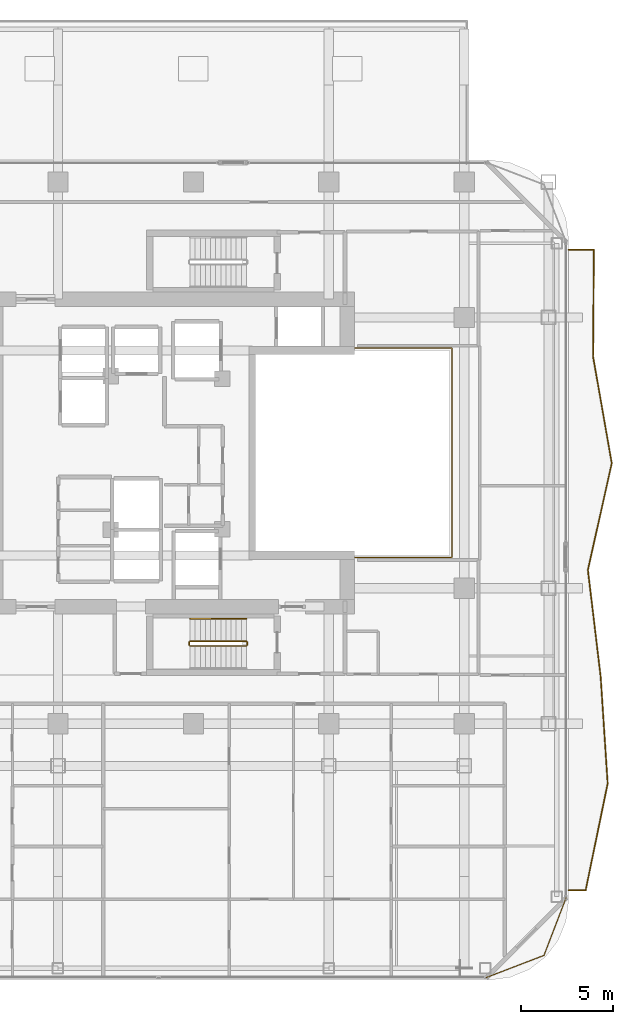
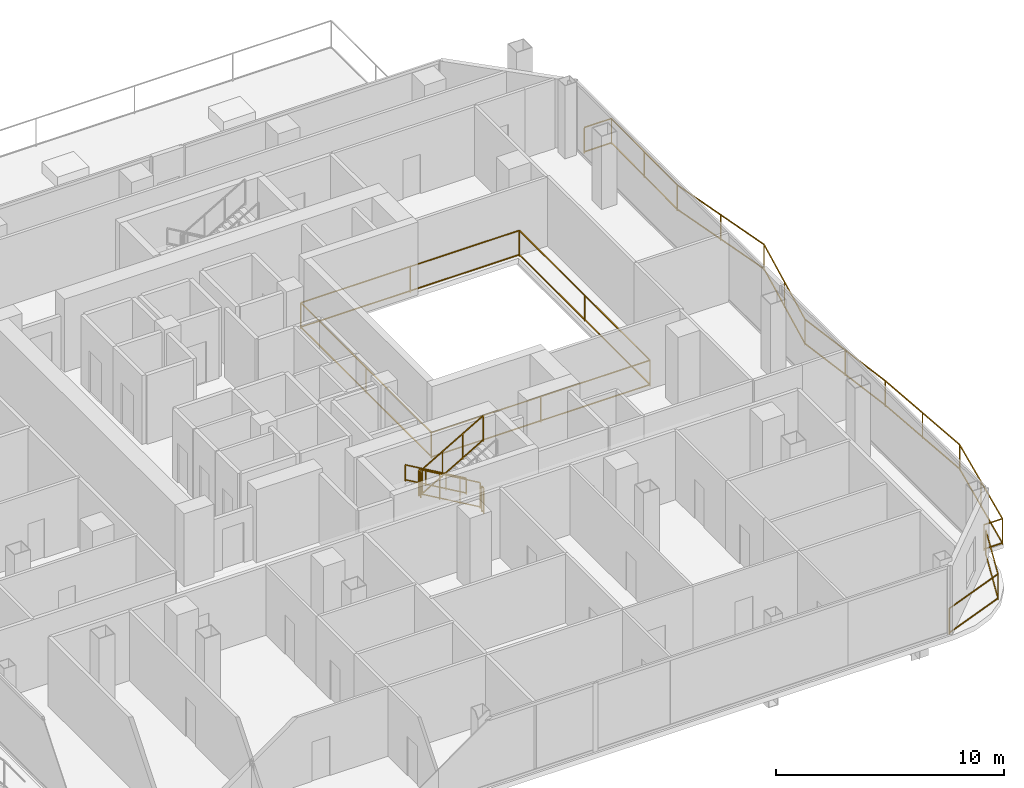
# One storey, part 23 of 24: 8 railings.
"""IFC4 building model written with IfcOpenShell, lengths in metres."""

from ifc_helpers import new_model, si_unit, direction, frame, origin, origin_2d, place, context, subcontext, project, spatial, rectangle, extrude, material, type_object, element, save


model = new_model("IFC4")

# Units and contexts
model_context = context("Model", 3, precision=1e-05, world=origin(), true_north=direction((0.0, 1.0)))
body_context = subcontext(model_context, "Body", "Model", "MODEL_VIEW")
ifc_project = project(units=[si_unit("LENGTHUNIT", "METRE"), si_unit("AREAUNIT", "SQUARE_METRE"), si_unit("VOLUMEUNIT", "CUBIC_METRE"), si_unit("PLANEANGLEUNIT", "RADIAN"), si_unit("MASSUNIT", "GRAM", prefix="KILO")], contexts=[model_context])

# Site, building, storey
site_placement = place(None, origin())
site = spatial("IfcSite", under=ifc_project, at=site_placement, CompositionType="ELEMENT")
building_placement = place(site_placement, origin())
building = spatial("IfcBuilding", under=site, at=building_placement, Name="Khorvyn Point Tower", CompositionType="ELEMENT")
storey_placement = place(building_placement, frame((0.0, 0.0, 191.39990234375)))
storey = spatial("IfcBuildingStorey", under=building, at=storey_placement, Name="L47", CompositionType="ELEMENT", Elevation=191.39990234375)

# Railings
ifc_material_1 = material(Name="Stainless steel 1.4401 and laminated glass", Category="steel")
railing_type_1 = type_object("IfcRailingType", Name="Crystal Atrium Smoke-Rated Perimeter Guardrail 1400", PredefinedType="GUARDRAIL", material=ifc_material_1)
railing_1_placement = place(storey_placement, frame((3.080078125, -5.719970703125, 0.0)))
element("IfcRailing", 1, at=railing_1_placement, inside=storey, type_object=railing_type_1, Name="L47 Crystal Atrium Perimeter Guardrail", PredefinedType="GUARDRAIL", context=body_context, shape_type="SweptSolid", body=[
    extrude(rectangle(XDim=0.048095703125, YDim=0.048095703125, at=origin_2d()), frame((0.0, 0.0, 1.3759765625), z_axis=(1.0, 0.0, 0.0), x_axis=(0.0, 1.0, 0.0)), (0.0, 0.0, 1.0), 11.0400390625),
    extrude(rectangle(XDim=0.048095703125, YDim=0.048095703125, at=origin_2d()), frame((0.0, 0.0, 0.080078125), z_axis=(1.0, 0.0, 0.0), x_axis=(0.0, 1.0, 0.0)), (0.0, 0.0, 1.0), 11.0400390625),
    extrude(rectangle(XDim=0.048095703125, YDim=0.048095703125, at=origin_2d()), frame((11.0400390625, 0.0, 1.3759765625), z_axis=(0.0, 1.0, 0.0), x_axis=(-1.0, 0.0, 0.0)), (0.0, 0.0, 1.0), 11.43994140625),
    extrude(rectangle(XDim=0.048095703125, YDim=0.048095703125, at=origin_2d()), frame((11.0400390625, 0.0, 0.080078125), z_axis=(0.0, 1.0, 0.0), x_axis=(-1.0, 0.0, 0.0)), (0.0, 0.0, 1.0), 11.43994140625),
    extrude(rectangle(XDim=0.048095703125, YDim=0.048095703125, at=origin_2d()), frame((11.0400390625, 11.43994140625, 1.3759765625), z_axis=(-1.0, 0.0, 0.0), x_axis=(0.0, -1.0, 0.0)), (0.0, 0.0, 1.0), 11.0400390625),
    extrude(rectangle(XDim=0.048095703125, YDim=0.048095703125, at=origin_2d()), frame((11.0400390625, 11.43994140625, 0.080078125), z_axis=(-1.0, 0.0, 0.0), x_axis=(0.0, -1.0, 0.0)), (0.0, 0.0, 1.0), 11.0400390625),
    extrude(rectangle(XDim=0.048095703125, YDim=0.048095703125, at=origin_2d()), frame((0.0, 11.43994140625, 1.3759765625), z_axis=(0.0, -1.0, 0.0), x_axis=(1.0, 0.0, 0.0)), (0.0, 0.0, 1.0), 11.409912109375),
    extrude(rectangle(XDim=0.048095703125, YDim=0.048095703125, at=origin_2d()), frame((0.0, 11.43994140625, 0.080078125), z_axis=(0.0, -1.0, 0.0), x_axis=(1.0, 0.0, 0.0)), (0.0, 0.0, 1.0), 11.409912109375),
    extrude(rectangle(XDim=0.0419921875, YDim=0.0419921875, at=origin_2d()), origin(), (0.0, 0.0, 1.0), 1.351806640625),
    extrude(rectangle(XDim=0.0419921875, YDim=0.0419921875, at=origin_2d()), frame((5.52001953125, 0.0, 0.0)), (0.0, 0.0, 1.0), 1.351806640625),
    extrude(rectangle(XDim=0.0419921875, YDim=0.0419921875, at=origin_2d()), frame((11.0400390625, 0.0, 0.0)), (0.0, 0.0, 1.0), 1.351806640625),
    extrude(rectangle(XDim=0.0419921875, YDim=0.0419921875, at=origin_2d()), frame((11.0400390625, 5.719970703125, 0.0)), (0.0, 0.0, 1.0), 1.351806640625),
    extrude(rectangle(XDim=0.0419921875, YDim=0.0419921875, at=origin_2d()), frame((11.0400390625, 11.43994140625, 0.0)), (0.0, 0.0, 1.0), 1.351806640625),
    extrude(rectangle(XDim=0.0419921875, YDim=0.0419921875, at=origin_2d()), frame((5.52001953125, 11.43994140625, 0.0)), (0.0, 0.0, 1.0), 1.351806640625),
    extrude(rectangle(XDim=0.0419921875, YDim=0.0419921875, at=origin_2d()), frame((0.0, 11.43994140625, 0.0)), (0.0, 0.0, 1.0), 1.351806640625),
    extrude(rectangle(XDim=0.0419921875, YDim=0.0419921875, at=origin_2d()), frame((0.0, 5.73486328125, 0.0)), (0.0, 0.0, 1.0), 1.351806640625),
    extrude(rectangle(XDim=0.0419921875, YDim=0.0419921875, at=origin_2d()), frame((0.0, 0.030029296875, 0.0)), (0.0, 0.0, 1.0), 1.351806640625),
])
ifc_material_2 = material(Name="Anodised aluminium 6063-T6 and laminated safety glass", Category="aluminium")
railing_type_2 = type_object("IfcRailingType", Name="Laminated Glass and Aluminium Balcony Guardrail 1400", PredefinedType="BALUSTRADE", material=ifc_material_2)
railing_2_placement = place(storey_placement, frame((15.981201171875, -28.67431640625, 0.0)))
element("IfcRailing", 2, at=railing_2_placement, inside=storey, type_object=railing_type_2, Name="L47 Rounded Corner Edge Guardrail SE", PredefinedType="BALUSTRADE", context=body_context, shape_type="SweptSolid", body=[
    extrude(rectangle(XDim=0.048095703125, YDim=0.048095703125, at=origin_2d()), frame((0.0, 0.0, 1.3759765625), z_axis=(0.933589651443, 0.358343916815, 0.0), x_axis=(-0.358343916815, 0.933589651443, 0.0)), (0.0, 0.0, 1.0), 3.400390625),
    extrude(rectangle(XDim=0.048095703125, YDim=0.048095703125, at=origin_2d()), frame((0.0, 0.0, 0.080078125), z_axis=(0.933589651443, 0.358343916815, 0.0), x_axis=(-0.358343916815, 0.933589651443, 0.0)), (0.0, 0.0, 1.0), 3.400390625),
    extrude(rectangle(XDim=0.048095703125, YDim=0.048095703125, at=origin_2d()), frame((3.174560546875, 1.218505859375, 1.3759765625), z_axis=(0.358343916815, 0.933589651443, 0.0), x_axis=(-0.933589651443, 0.358343916815, 0.0)), (0.0, 0.0, 1.0), 3.400390625),
    extrude(rectangle(XDim=0.048095703125, YDim=0.048095703125, at=origin_2d()), frame((3.174560546875, 1.218505859375, 0.080078125), z_axis=(0.358343916815, 0.933589651443, 0.0), x_axis=(-0.933589651443, 0.358343916815, 0.0)), (0.0, 0.0, 1.0), 3.400390625),
    extrude(rectangle(XDim=0.0419921875, YDim=0.0419921875, at=origin_2d()), origin(), (0.0, 0.0, 1.0), 1.351806640625),
    extrude(rectangle(XDim=0.0419921875, YDim=0.0419921875, at=origin_2d()), frame((3.174560546875, 1.218505859375, 0.0)), (0.0, 0.0, 1.0), 1.351806640625),
    extrude(rectangle(XDim=0.0419921875, YDim=0.0419921875, at=origin_2d()), frame((4.39306640625, 4.39306640625, 0.0)), (0.0, 0.0, 1.0), 1.351806640625),
])
railing_3_placement = place(storey_placement, frame((20.5, -23.89990234375, 0.0)))
element("IfcRailing", 3, at=railing_3_placement, inside=storey, type_object=railing_type_2, Name="L47 East Balcony Guardrail", PredefinedType="BALUSTRADE", context=body_context, shape_type="SweptSolid", body=[
    extrude(rectangle(XDim=0.048095703125, YDim=0.048095703125, at=origin_2d()), frame((0.0, 0.0, 1.3759765625), z_axis=(1.0, 0.0, 0.0), x_axis=(0.0, 1.0, 0.0)), (0.0, 0.0, 1.0), 0.9326171875),
    extrude(rectangle(XDim=0.048095703125, YDim=0.048095703125, at=origin_2d()), frame((0.0, 0.0, 0.080078125), z_axis=(1.0, 0.0, 0.0), x_axis=(0.0, 1.0, 0.0)), (0.0, 0.0, 1.0), 0.9326171875),
    extrude(rectangle(XDim=0.048095703125, YDim=0.048095703125, at=origin_2d()), frame((0.9326171875, 0.0, 1.3759765625), z_axis=(0.20196171942, 0.979393416299, 0.0), x_axis=(-0.979393416299, 0.20196171942, 0.0)), (0.0, 0.0, 1.0), 5.9560546875),
    extrude(rectangle(XDim=0.048095703125, YDim=0.048095703125, at=origin_2d()), frame((0.9326171875, 0.0, 0.080078125), z_axis=(0.20196171942, 0.979393416299, 0.0), x_axis=(-0.979393416299, 0.20196171942, 0.0)), (0.0, 0.0, 1.0), 5.9560546875),
    extrude(rectangle(XDim=0.048095703125, YDim=0.048095703125, at=origin_2d()), frame((2.135498046875, 5.833251953125, 1.3759765625), z_axis=(-0.065568220797, 0.99784808885, 0.0), x_axis=(-0.99784808885, -0.065568220797, 0.0)), (0.0, 0.0, 1.0), 5.845947265625),
    extrude(rectangle(XDim=0.048095703125, YDim=0.048095703125, at=origin_2d()), frame((2.135498046875, 5.833251953125, 0.080078125), z_axis=(-0.065568220797, 0.99784808885, 0.0), x_axis=(-0.99784808885, -0.065568220797, 0.0)), (0.0, 0.0, 1.0), 5.845947265625),
    extrude(rectangle(XDim=0.048095703125, YDim=0.048095703125, at=origin_2d()), frame((1.752197265625, 11.66650390625, 1.3759765625), z_axis=(-0.118724083509, 0.992927284344, 0.0), x_axis=(-0.992927284344, -0.118724083509, 0.0)), (0.0, 0.0, 1.0), 5.875),
    extrude(rectangle(XDim=0.048095703125, YDim=0.048095703125, at=origin_2d()), frame((1.752197265625, 11.66650390625, 0.080078125), z_axis=(-0.118724083509, 0.992927284344, 0.0), x_axis=(-0.992927284344, -0.118724083509, 0.0)), (0.0, 0.0, 1.0), 5.875),
    extrude(rectangle(XDim=0.048095703125, YDim=0.048095703125, at=origin_2d()), frame((1.0546875, 17.5, 1.3759765625), z_axis=(0.218037493008, 0.975940393489, 0.0), x_axis=(-0.975940393489, 0.218037493008, 0.0)), (0.0, 0.0, 1.0), 5.97705078125),
    extrude(rectangle(XDim=0.048095703125, YDim=0.048095703125, at=origin_2d()), frame((1.0546875, 17.5, 0.080078125), z_axis=(0.218037493008, 0.975940393489, 0.0), x_axis=(-0.975940393489, 0.218037493008, 0.0)), (0.0, 0.0, 1.0), 5.97705078125),
    extrude(rectangle(XDim=0.048095703125, YDim=0.048095703125, at=origin_2d()), frame((2.35791015625, 23.333251953125, 1.3759765625), z_axis=(-0.172409332751, 0.985025391541, 0.0), x_axis=(-0.985025391541, -0.172409332751, 0.0)), (0.0, 0.0, 1.0), 5.921875),
    extrude(rectangle(XDim=0.048095703125, YDim=0.048095703125, at=origin_2d()), frame((2.35791015625, 23.333251953125, 0.080078125), z_axis=(-0.172409332751, 0.985025391541, 0.0), x_axis=(-0.985025391541, -0.172409332751, 0.0)), (0.0, 0.0, 1.0), 5.921875),
    extrude(rectangle(XDim=0.048095703125, YDim=0.048095703125, at=origin_2d()), frame((1.3369140625, 29.16650390625, 1.3759765625), z_axis=(0.00740751418, 0.99997256399, 0.0), x_axis=(-0.99997256399, 0.00740751418, 0.0)), (0.0, 0.0, 1.0), 5.833740234375),
    extrude(rectangle(XDim=0.048095703125, YDim=0.048095703125, at=origin_2d()), frame((1.3369140625, 29.16650390625, 0.080078125), z_axis=(0.00740751418, 0.99997256399, 0.0), x_axis=(-0.99997256399, 0.00740751418, 0.0)), (0.0, 0.0, 1.0), 5.833740234375),
    extrude(rectangle(XDim=0.048095703125, YDim=0.048095703125, at=origin_2d()), frame((1.380126953125, 35.0, 1.3759765625), z_axis=(-1.0, 0.0, 0.0), x_axis=(0.0, -1.0, 0.0)), (0.0, 0.0, 1.0), 1.380126953125),
    extrude(rectangle(XDim=0.048095703125, YDim=0.048095703125, at=origin_2d()), frame((1.380126953125, 35.0, 0.080078125), z_axis=(-1.0, 0.0, 0.0), x_axis=(0.0, -1.0, 0.0)), (0.0, 0.0, 1.0), 1.380126953125),
    extrude(rectangle(XDim=0.0419921875, YDim=0.0419921875, at=origin_2d()), origin(), (0.0, 0.0, 1.0), 1.351806640625),
    extrude(rectangle(XDim=0.0419921875, YDim=0.0419921875, at=origin_2d()), frame((0.9326171875, 0.0, 0.0)), (0.0, 0.0, 1.0), 1.351806640625),
    extrude(rectangle(XDim=0.0419921875, YDim=0.0419921875, at=origin_2d()), frame((1.5341796875, 2.91650390625, 0.0)), (0.0, 0.0, 1.0), 1.351806640625),
    extrude(rectangle(XDim=0.0419921875, YDim=0.0419921875, at=origin_2d()), frame((2.135498046875, 5.833251953125, 0.0)), (0.0, 0.0, 1.0), 1.351806640625),
    extrude(rectangle(XDim=0.0419921875, YDim=0.0419921875, at=origin_2d()), frame((1.94384765625, 8.75, 0.0)), (0.0, 0.0, 1.0), 1.351806640625),
    extrude(rectangle(XDim=0.0419921875, YDim=0.0419921875, at=origin_2d()), frame((1.752197265625, 11.66650390625, 0.0)), (0.0, 0.0, 1.0), 1.351806640625),
    extrude(rectangle(XDim=0.0419921875, YDim=0.0419921875, at=origin_2d()), frame((1.4033203125, 14.583251953125, 0.0)), (0.0, 0.0, 1.0), 1.351806640625),
    extrude(rectangle(XDim=0.0419921875, YDim=0.0419921875, at=origin_2d()), frame((1.0546875, 17.5, 0.0)), (0.0, 0.0, 1.0), 1.351806640625),
    extrude(rectangle(XDim=0.0419921875, YDim=0.0419921875, at=origin_2d()), frame((1.706298828125, 20.41650390625, 0.0)), (0.0, 0.0, 1.0), 1.351806640625),
    extrude(rectangle(XDim=0.0419921875, YDim=0.0419921875, at=origin_2d()), frame((2.35791015625, 23.333251953125, 0.0)), (0.0, 0.0, 1.0), 1.351806640625),
    extrude(rectangle(XDim=0.0419921875, YDim=0.0419921875, at=origin_2d()), frame((1.847412109375, 26.25, 0.0)), (0.0, 0.0, 1.0), 1.351806640625),
    extrude(rectangle(XDim=0.0419921875, YDim=0.0419921875, at=origin_2d()), frame((1.3369140625, 29.16650390625, 0.0)), (0.0, 0.0, 1.0), 1.351806640625),
    extrude(rectangle(XDim=0.0419921875, YDim=0.0419921875, at=origin_2d()), frame((1.3583984375, 32.083251953125, 0.0)), (0.0, 0.0, 1.0), 1.351806640625),
    extrude(rectangle(XDim=0.0419921875, YDim=0.0419921875, at=origin_2d()), frame((1.380126953125, 35.0, 0.0)), (0.0, 0.0, 1.0), 1.351806640625),
    extrude(rectangle(XDim=0.0419921875, YDim=0.0419921875, at=origin_2d()), frame((0.0, 35.0, 0.0)), (0.0, 0.0, 1.0), 1.351806640625),
])
ifc_material_3 = material(Name="Stainless steel 1.4301", Category="steel")
railing_type_3 = type_object("IfcRailingType", Name="Stainless Steel 304 Stair Pitch Handrail 900", PredefinedType="HANDRAIL", material=ifc_material_3)
railing_4_placement = place(storey_placement, frame((2.89990234375, -9.070068359375, 0.16259765625)))
element("IfcRailing", 4, at=railing_4_placement, inside=storey, type_object=railing_type_3, Name="L47 ST-01 stair handrail 1", PredefinedType="HANDRAIL", context=body_context, shape_type="SweptSolid", body=[
    extrude(rectangle(XDim=0.048095703125, YDim=0.048095703125, at=origin_2d()), frame((0.0, 0.0, 0.8759765625), z_axis=(-0.864873446163, 0.0, 0.501989962173), x_axis=(0.0, -1.0, 0.0)), (0.0, 0.0, 1.0), 3.56103515625),
    extrude(rectangle(XDim=0.048095703125, YDim=0.048095703125, at=origin_2d()), frame((0.0, 0.0, 0.080078125), z_axis=(-0.864873446163, 0.0, 0.501989962173), x_axis=(0.0, -1.0, 0.0)), (0.0, 0.0, 1.0), 3.56103515625),
    extrude(rectangle(XDim=0.0419921875, YDim=0.0419921875, at=origin_2d()), origin(), (0.0, 0.0, 1.0), 0.851806640625),
    extrude(rectangle(XDim=0.0419921875, YDim=0.0419921875, at=origin_2d()), frame((-1.026611328125, 0.0, 0.595947265625)), (0.0, 0.0, 1.0), 0.851806640625),
    extrude(rectangle(XDim=0.0419921875, YDim=0.0419921875, at=origin_2d()), frame((-2.05322265625, 0.0, 1.191650390625)), (0.0, 0.0, 1.0), 0.851806640625),
    extrude(rectangle(XDim=0.0419921875, YDim=0.0419921875, at=origin_2d()), frame((-3.079833984375, 0.0, 1.78759765625)), (0.0, 0.0, 1.0), 0.851806640625),
])
railing_type_4 = type_object("IfcRailingType", Name="Stainless Steel 304 Stair Well Guardrail 1400", PredefinedType="GUARDRAIL", material=ifc_material_3)
railing_5_placement = place(storey_placement, frame((2.89990234375, -10.2900390625, 0.16259765625)))
element("IfcRailing", 5, at=railing_5_placement, inside=storey, type_object=railing_type_4, Name="L47 ST-01 stair guard 1", PredefinedType="GUARDRAIL", context=body_context, shape_type="SweptSolid", body=[
    extrude(rectangle(XDim=0.048095703125, YDim=0.048095703125, at=origin_2d()), frame((0.0, 0.0, 1.3759765625), z_axis=(-0.864873446163, 0.0, 0.501989962173), x_axis=(0.0, -1.0, 0.0)), (0.0, 0.0, 1.0), 3.56103515625),
    extrude(rectangle(XDim=0.048095703125, YDim=0.048095703125, at=origin_2d()), frame((0.0, 0.0, 0.080078125), z_axis=(-0.864873446163, 0.0, 0.501989962173), x_axis=(0.0, -1.0, 0.0)), (0.0, 0.0, 1.0), 3.56103515625),
    extrude(rectangle(XDim=0.0419921875, YDim=0.0419921875, at=origin_2d()), origin(), (0.0, 0.0, 1.0), 1.351806640625),
    extrude(rectangle(XDim=0.0419921875, YDim=0.0419921875, at=origin_2d()), frame((-1.026611328125, 0.0, 0.595947265625)), (0.0, 0.0, 1.0), 1.351806640625),
    extrude(rectangle(XDim=0.0419921875, YDim=0.0419921875, at=origin_2d()), frame((-2.05322265625, 0.0, 1.191650390625)), (0.0, 0.0, 1.0), 1.351806640625),
    extrude(rectangle(XDim=0.0419921875, YDim=0.0419921875, at=origin_2d()), frame((-3.079833984375, 0.0, 1.78759765625)), (0.0, 0.0, 1.0), 1.351806640625),
])
railing_6_placement = place(storey_placement, frame((-0.22998046875, -10.340087890625, 1.9501953125)))
element("IfcRailing", 6, at=railing_6_placement, inside=storey, type_object=railing_type_4, Name="L47 ST-01 stair guard 2", PredefinedType="GUARDRAIL", context=body_context, shape_type="SweptSolid", body=[
    extrude(rectangle(XDim=0.048095703125, YDim=0.048095703125, at=origin_2d()), frame((0.0, 0.0, 1.3759765625), z_axis=(0.0, -1.0, 0.0), x_axis=(1.0, 0.0, 0.0)), (0.0, 0.0, 1.0), 0.159912109375),
    extrude(rectangle(XDim=0.048095703125, YDim=0.048095703125, at=origin_2d()), frame((0.0, 0.0, 0.080078125), z_axis=(0.0, -1.0, 0.0), x_axis=(1.0, 0.0, 0.0)), (0.0, 0.0, 1.0), 0.159912109375),
    extrude(rectangle(XDim=0.0419921875, YDim=0.0419921875, at=origin_2d()), origin(), (0.0, 0.0, 1.0), 1.351806640625),
    extrude(rectangle(XDim=0.0419921875, YDim=0.0419921875, at=origin_2d()), frame((0.0, -0.159912109375, 0.0)), (0.0, 0.0, 1.0), 1.351806640625),
])
railing_7_placement = place(storey_placement, frame((-0.179931640625, -10.550048828125, 2.112548828125)))
element("IfcRailing", 7, at=railing_7_placement, inside=storey, type_object=railing_type_4, Name="L47 ST-01 stair guard 3", PredefinedType="GUARDRAIL", context=body_context, shape_type="SweptSolid", body=[
    extrude(rectangle(XDim=0.048095703125, YDim=0.048095703125, at=origin_2d()), frame((0.0, 0.0, 1.3759765625), z_axis=(0.864873446163, 0.0, 0.501989962173), x_axis=(0.0, 1.0, 0.0)), (0.0, 0.0, 1.0), 3.56103515625),
    extrude(rectangle(XDim=0.048095703125, YDim=0.048095703125, at=origin_2d()), frame((0.0, 0.0, 0.080078125), z_axis=(0.864873446163, 0.0, 0.501989962173), x_axis=(0.0, 1.0, 0.0)), (0.0, 0.0, 1.0), 3.56103515625),
    extrude(rectangle(XDim=0.0419921875, YDim=0.0419921875, at=origin_2d()), origin(), (0.0, 0.0, 1.0), 1.351806640625),
    extrude(rectangle(XDim=0.0419921875, YDim=0.0419921875, at=origin_2d()), frame((1.026611328125, 0.0, 0.595947265625)), (0.0, 0.0, 1.0), 1.351806640625),
    extrude(rectangle(XDim=0.0419921875, YDim=0.0419921875, at=origin_2d()), frame((2.05322265625, 0.0, 1.191650390625)), (0.0, 0.0, 1.0), 1.351806640625),
    extrude(rectangle(XDim=0.0419921875, YDim=0.0419921875, at=origin_2d()), frame((3.079833984375, 0.0, 1.78759765625)), (0.0, 0.0, 1.0), 1.351806640625),
])
railing_8_placement = place(storey_placement, frame((2.949951171875, -10.340087890625, 0.0)))
element("IfcRailing", 8, at=railing_8_placement, inside=storey, type_object=railing_type_4, Name="L47 ST-01 stair guard 4", PredefinedType="GUARDRAIL", context=body_context, shape_type="SweptSolid", body=[
    extrude(rectangle(XDim=0.048095703125, YDim=0.048095703125, at=origin_2d()), frame((0.0, 0.0, 1.3759765625), z_axis=(0.0, -1.0, 0.0), x_axis=(1.0, 0.0, 0.0)), (0.0, 0.0, 1.0), 0.159912109375),
    extrude(rectangle(XDim=0.048095703125, YDim=0.048095703125, at=origin_2d()), frame((0.0, 0.0, 0.080078125), z_axis=(0.0, -1.0, 0.0), x_axis=(1.0, 0.0, 0.0)), (0.0, 0.0, 1.0), 0.159912109375),
    extrude(rectangle(XDim=0.0419921875, YDim=0.0419921875, at=origin_2d()), origin(), (0.0, 0.0, 1.0), 1.351806640625),
    extrude(rectangle(XDim=0.0419921875, YDim=0.0419921875, at=origin_2d()), frame((0.0, -0.159912109375, 0.0)), (0.0, 0.0, 1.0), 1.351806640625),
])

save(model, "model.ifc")
